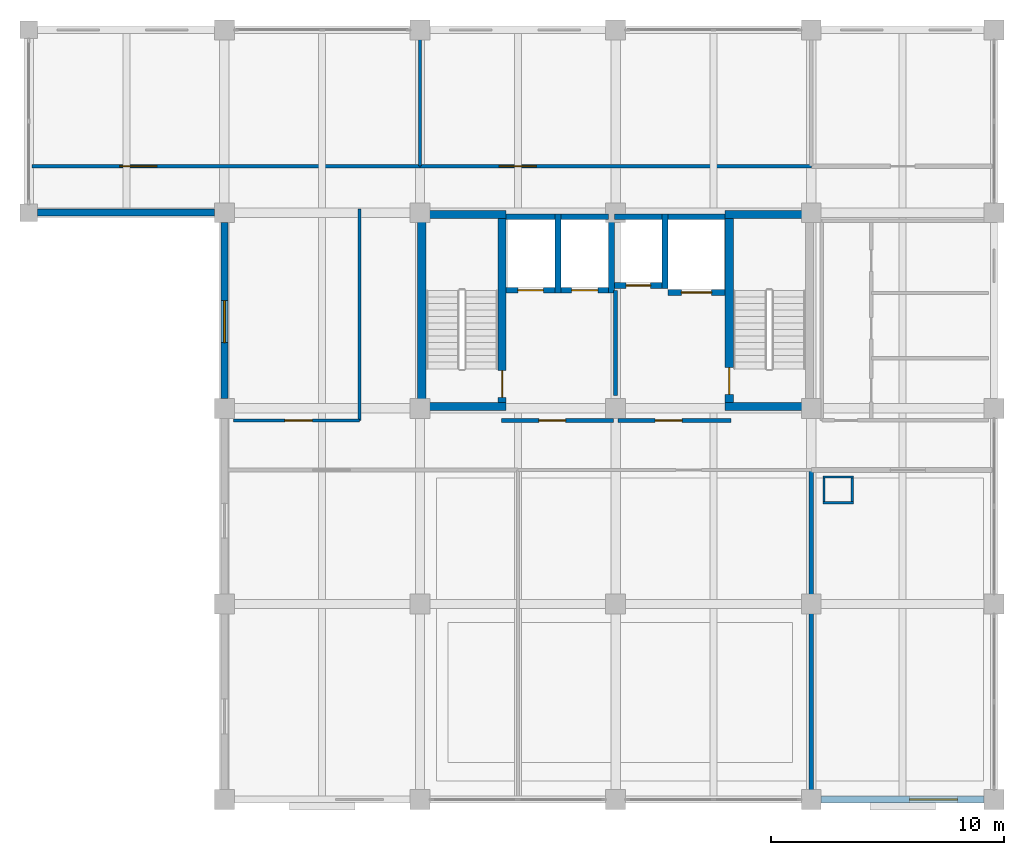
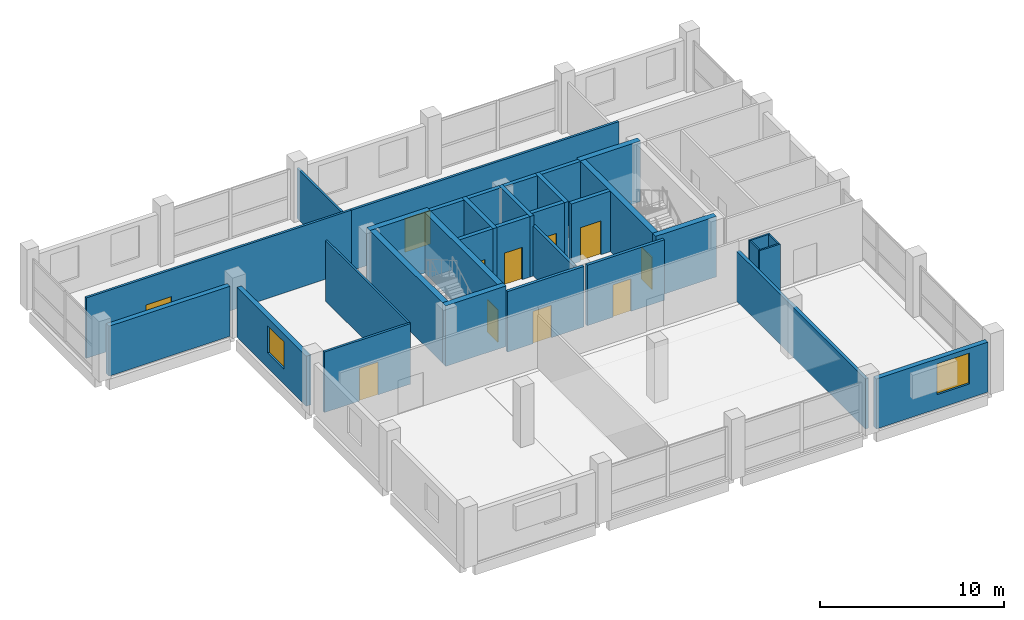
# One storey, part 7 of 9: 34 walls, 11 doors, 2 windows, 13 openings.
"""IFC4 building model written with IfcOpenShell, lengths in metres."""

from ifc_helpers import new_model, si_unit, direction, frame, frame_2d, origin, place, context, subcontext, project, spatial, rectangle, extrude, material, layer, layer_set, type_object, element, fill, save


model = new_model("IFC4")

# Units and contexts
model_context = context("Model", 3, precision=1e-05, world=origin(), true_north=direction((0.0, 1.0)))
body_context = subcontext(model_context, "Body", "Model", "MODEL_VIEW")
ifc_project = project(units=[si_unit("LENGTHUNIT", "METRE"), si_unit("AREAUNIT", "SQUARE_METRE"), si_unit("VOLUMEUNIT", "CUBIC_METRE"), si_unit("PLANEANGLEUNIT", "RADIAN"), si_unit("MASSUNIT", "GRAM", prefix="KILO")], contexts=[model_context])

# Site, building, storey
site_placement = place(None, origin())
site = spatial("IfcSite", under=ifc_project, at=site_placement, CompositionType="ELEMENT")
building_placement = place(site_placement, origin())
building = spatial("IfcBuilding", under=site, at=building_placement, Name="Brinegate Botanical Conservatory", CompositionType="ELEMENT")
storey_placement = place(building_placement, frame((0.0, 0.0, 31.800048828125)))
storey = spatial("IfcBuildingStorey", under=building, at=storey_placement, Name="L08", CompositionType="ELEMENT", Elevation=31.800048828125)

# Wall, opening, window
ifc_material_1 = material(Name="Insulated Minnan red clay brick masonry", Category="masonry")
ifc_layer_1 = layer(ifc_material_1, 0.300048828125, Name="Insulated Minnan red clay brick masonry", Category="masonry")
ifc_layer_set_1 = layer_set([ifc_layer_1], Name="Insulated Minnan red clay brick masonry")
wall_type_1 = type_object("IfcWallType", Name="Wall_EW-300B", PredefinedType="STANDARD", material=ifc_layer_set_1)
wall_1_placement = place(storey_placement, frame((163.02490234375, 78.39990234375, 0.0), z_axis=(0.0, 0.0, 1.0), x_axis=(-1.0, 0.0, 0.0)))
wall_1 = element("IfcWall", 1, at=wall_1_placement, inside=storey, type_object=wall_type_1, Name="Tower south facade wall L08.4", PredefinedType="STANDARD", context=body_context, shape_type="SweptSolid", body=[
    extrude(rectangle(XDim=7.0, YDim=0.300048828125, at=frame_2d((3.5, 0.0))), origin(), (0.0, 0.0, 1.0), 3.320068359375),
])
opening_1_placement = place(wall_1_placement, frame((1.14990234375, 0.0, 0.949951171875)))
opening_1 = element("IfcOpeningElement", 2, at=opening_1_placement, cuts=wall_1, Name="Opening WN-23", PredefinedType="OPENING", context=body_context, shape_type="SweptSolid", body=[
    extrude(rectangle(XDim=2.050048828125, YDim=2.050048828125, at=frame_2d((1.02490234375, 1.02490234375))), frame((0.0, 0.159912109375, 0.0), z_axis=(0.0, -1.0, 0.0), x_axis=(1.0, 0.0, 0.0)), (0.0, 0.0, 1.0), 0.320068359375),
])
ifc_material_2 = material(Name="Thermally broken aluminium-framed Low-E glass", Category="aluminium")
window_type_1 = type_object("IfcWindowType", Name="Win_WN-23", PartitioningType="DOUBLE_PANEL_VERTICAL", PredefinedType="WINDOW", material=ifc_material_2)
window_1_placement = place(opening_1_placement, origin())
window_1 = element("IfcWindow", 3, at=window_1_placement, inside=storey, type_object=window_type_1, Name="Tower south window L08.4", OverallHeight=2.050048828125, OverallWidth=2.050048828125, PartitioningType="DOUBLE_PANEL_VERTICAL", PredefinedType="WINDOW", context=body_context, shape_type="SweptSolid", body=[
    extrude(rectangle(XDim=2.050048828125, YDim=2.050048828125, at=frame_2d((1.02490234375, 1.02490234375))), frame((0.0, 0.030029296875, 0.0), z_axis=(0.0, -1.0, 0.0), x_axis=(1.0, 0.0, 0.0)), (0.0, 0.0, 1.0), 0.06005859375),
])
fill(opening_1, window_1)

wall_2_placement = place(storey_placement, frame((130.39990234375, 95.625, 0.0), z_axis=(0.0, 0.0, 1.0), x_axis=(0.0, 1.0, 0.0)))
wall_2 = element("IfcWall", 4, at=wall_2_placement, inside=storey, type_object=wall_type_1, Name="Tower mid-west wall L08", PredefinedType="STANDARD", context=body_context, shape_type="SweptSolid", body=[
    extrude(rectangle(XDim=7.550048828125, YDim=0.300048828125, at=frame_2d((3.77490234375, 0.0))), origin(), (0.0, 0.0, 1.0), 3.320068359375),
])
opening_2_placement = place(wall_2_placement, frame((2.39990234375, 0.0, 1.0)))
opening_2 = element("IfcOpeningElement", 5, at=opening_2_placement, cuts=wall_2, Name="Opening WN-05", PredefinedType="OPENING", context=body_context, shape_type="SweptSolid", body=[
    extrude(rectangle(XDim=1.800048828125, YDim=1.800048828125, at=frame_2d((0.89990234375, 0.89990234375))), frame((0.0, 0.159912109375, 0.0), z_axis=(0.0, -1.0, 0.0), x_axis=(1.0, 0.0, 0.0)), (0.0, 0.0, 1.0), 0.320068359375),
])
window_type_2 = type_object("IfcWindowType", Name="Win_WN-05", PartitioningType="DOUBLE_PANEL_VERTICAL", PredefinedType="WINDOW", material=ifc_material_2)
window_2_placement = place(opening_2_placement, origin())
window_2 = element("IfcWindow", 6, at=window_2_placement, inside=storey, type_object=window_type_2, Name="Tower mid-west window L08", OverallHeight=1.800048828125, OverallWidth=1.800048828125, PartitioningType="DOUBLE_PANEL_VERTICAL", PredefinedType="WINDOW", context=body_context, shape_type="SweptSolid", body=[
    extrude(rectangle(XDim=1.800048828125, YDim=1.800048828125, at=frame_2d((0.89990234375, 0.89990234375))), frame((0.0, 0.030029296875, 0.0), z_axis=(0.0, -1.0, 0.0), x_axis=(1.0, 0.0, 0.0)), (0.0, 0.0, 1.0), 0.06005859375),
])
fill(opening_2, window_2)

# Walls
wall_3_placement = place(storey_placement, frame((129.97509765625, 103.60009765625, 0.0), z_axis=(0.0, 0.0, 1.0), x_axis=(-1.0, 0.0, 0.0)))
element("IfcWall", 7, at=wall_3_placement, inside=storey, type_object=wall_type_1, Name="Tower west setback return wall L08", PredefinedType="STANDARD", context=body_context, shape_type="SweptSolid", body=[
    extrude(rectangle(XDim=7.60009765625, YDim=0.300048828125, at=frame_2d((3.800048828125, 0.0))), origin(), (0.0, 0.0, 1.0), 3.320068359375),
])
ifc_material_3 = material(Name="Gypsum-clad steel-stud fire-rated shaft partition", Category="steel")
ifc_layer_2 = layer(ifc_material_3, 0.10498046875, Name="Gypsum-clad steel-stud fire-rated shaft partition", Category="steel")
ifc_layer_set_2 = layer_set([ifc_layer_2], Name="Gypsum-clad steel-stud fire-rated shaft partition")
wall_type_2 = type_object("IfcWallType", Name="Wall_PW-105", PredefinedType="PARTITIONING", material=ifc_layer_set_2)
for number, where, z_axis, x_axis, name in (
    (8, (156.094970703125, 91.1474609375, 0.0), (0.0, 0.0, 1.0), (1.0, 0.0, 0.0), "Service riser shaft wall L08 S"),
    (9, (156.094970703125, 92.25244140625, 0.0), (0.0, 0.0, 1.0), (1.0, 0.0, 0.0), "Service riser shaft wall L08 N"),
):
    element("IfcWall", number, at=place(storey_placement, frame(where, z_axis=z_axis, x_axis=x_axis)), inside=storey, type_object=wall_type_2, Name=name, PredefinedType="PARTITIONING", context=body_context, shape_type="SweptSolid", body=[
        extrude(rectangle(XDim=1.31005859375, YDim=0.10498046875, at=frame_2d((0.655029296875, 0.0))), origin(), (0.0, 0.0, 1.0), 4.02001953125),
    ])
for number, where, z_axis, x_axis, name in (
    (10, (156.1474609375, 91.199951171875, 0.0), (0.0, 0.0, 1.0), (0.0, 1.0, 0.0), "Service riser shaft wall L08 W"),
    (11, (157.3525390625, 91.199951171875, 0.0), (0.0, 0.0, 1.0), (0.0, 1.0, 0.0), "Service riser shaft wall L08 E"),
):
    element("IfcWall", number, at=place(storey_placement, frame(where, z_axis=z_axis, x_axis=x_axis)), inside=storey, type_object=wall_type_2, Name=name, PredefinedType="PARTITIONING", context=body_context, shape_type="SweptSolid", body=[
        extrude(rectangle(XDim=1.0, YDim=0.10498046875, at=frame_2d((0.5, 0.0))), origin(), (0.0, 0.0, 1.0), 4.02001953125),
    ])
ifc_material_4 = material(Name="Gypsum-clad steel-stud partition", Category="steel")
ifc_layer_3 = layer(ifc_material_4, 0.1201171875, Name="Gypsum-clad steel-stud partition", Category="steel")
ifc_layer_set_3 = layer_set([ifc_layer_3], Name="Gypsum-clad steel-stud partition")
wall_type_3 = type_object("IfcWallType", Name="Wall_PW-120", PredefinedType="PARTITIONING", material=ifc_layer_set_3)
wall_4_placement = place(storey_placement, frame((136.199951171875, 94.679931640625, 0.0), z_axis=(0.0, 0.0, 1.0), x_axis=(0.0, 1.0, 0.0)))
element("IfcWall", 12, at=wall_4_placement, inside=storey, type_object=wall_type_3, Name="Interior partition P-L08-XCORR-W", PredefinedType="PARTITIONING", context=body_context, shape_type="SweptSolid", body=[
    extrude(rectangle(XDim=9.070068359375, YDim=0.1201171875, at=frame_2d((4.53515625, 0.0))), origin(), (0.0, 0.0, 1.0), 4.02001953125),
])
ifc_layer_4 = layer(ifc_material_4, 0.135009765625, Name="Gypsum-clad steel-stud partition", Category="steel")
ifc_layer_set_4 = layer_set([ifc_layer_4], Name="Gypsum-clad steel-stud partition")
wall_type_4 = type_object("IfcWallType", Name="Wall_PW-135", PredefinedType="PARTITIONING", material=ifc_layer_set_4)
wall_5_placement = place(storey_placement, frame((138.800048828125, 105.60009765625, 0.0), z_axis=(0.0, 0.0, 1.0), x_axis=(0.0, 1.0, 0.0)))
element("IfcWall", 13, at=wall_5_placement, inside=storey, type_object=wall_type_4, Name="Interior partition P-L08-NDIV-N2", PredefinedType="PARTITIONING", context=body_context, shape_type="SweptSolid", body=[
    extrude(rectangle(XDim=5.75, YDim=0.135009765625, at=frame_2d((2.875, 0.0))), origin(), (0.0, 0.0, 1.0), 3.320068359375),
])

# Wall, opening, door
ifc_material_5 = material(Name="Gypsum-clad acoustic steel-stud partition", Category="steel")
ifc_layer_5 = layer(ifc_material_5, 0.14501953125, Name="Gypsum-clad acoustic steel-stud partition", Category="steel")
ifc_layer_set_5 = layer_set([ifc_layer_5], Name="Gypsum-clad acoustic steel-stud partition")
wall_type_5 = type_object("IfcWallType", Name="Wall_PW-150", PredefinedType="PARTITIONING", material=ifc_layer_set_5)
wall_6_placement = place(storey_placement, frame((130.800048828125, 94.679931640625, 0.0), z_axis=(0.0, 0.0, 1.0), x_axis=(1.0, 0.0, 0.0)))
wall_6 = element("IfcWall", 14, at=wall_6_placement, inside=storey, type_object=wall_type_5, Name="Interior partition P-L08-MIDW-S", PredefinedType="PARTITIONING", context=body_context, shape_type="SweptSolid", body=[
    extrude(rectangle(XDim=5.39990234375, YDim=0.14501953125, at=frame_2d((2.699951171875, 0.0))), origin(), (0.0, 0.0, 1.0), 4.02001953125),
])
opening_3_placement = place(wall_6_placement, frame((2.199951171875, 0.0, 0.0)))
opening_3 = element("IfcOpeningElement", 15, at=opening_3_placement, cuts=wall_6, Name="Opening DR-06", PredefinedType="OPENING", context=body_context, shape_type="SweptSolid", body=[
    extrude(rectangle(XDim=1.179931640625, YDim=2.179931640625, at=frame_2d((0.58984375, 1.08984375))), frame((0.0, 0.08251953125, 0.0), z_axis=(0.0, -1.0, 0.0), x_axis=(1.0, 0.0, 0.0)), (0.0, 0.0, 1.0), 0.1650390625),
])
ifc_material_6 = material(Name="Phenolic-faced laboratory timber leaf", Category="wood")
door_type_1 = type_object("IfcDoorType", Name="Door_DR-06", OperationType="NOTDEFINED", PredefinedType="DOOR", material=ifc_material_6)
door_1_placement = place(opening_3_placement, origin())
door_1 = element("IfcDoor", 16, at=door_1_placement, inside=storey, type_object=door_type_1, Name="DR-P-L08-MIDW-S-1", OperationType="SINGLE_SWING_RIGHT", OverallHeight=2.179931640625, OverallWidth=1.179931640625, PredefinedType="DOOR", context=body_context, shape_type="SweptSolid", body=[
    extrude(rectangle(XDim=1.179931640625, YDim=2.179931640625, at=frame_2d((0.58984375, 1.08984375))), frame((0.0, 0.02490234375, 0.0), z_axis=(0.0, -1.0, 0.0), x_axis=(1.0, 0.0, 0.0)), (0.0, 0.0, 1.0), 0.050048828125),
])
fill(opening_3, door_1)

wall_7_placement = place(storey_placement, frame((122.14990234375, 105.60009765625, 0.0), z_axis=(0.0, 0.0, 1.0), x_axis=(1.0, 0.0, 0.0)))
wall_7 = element("IfcWall", 17, at=wall_7_placement, inside=storey, type_object=wall_type_5, Name="Interior partition P-L08-NB-N1", PredefinedType="PARTITIONING", context=body_context, shape_type="SweptSolid", body=[
    extrude(rectangle(XDim=16.650146484375, YDim=0.14501953125, at=frame_2d((8.3251953125, 0.0))), origin(), (0.0, 0.0, 1.0), 4.02001953125),
])
opening_4_placement = place(wall_7_placement, frame((3.75, 0.0, 0.0)))
opening_4 = element("IfcOpeningElement", 18, at=opening_4_placement, cuts=wall_7, Name="Opening DR-22", PredefinedType="OPENING", context=body_context, shape_type="SweptSolid", body=[
    extrude(rectangle(XDim=1.60009765625, YDim=2.239990234375, at=frame_2d((0.800048828125, 1.1201171875))), frame((0.0, 0.08251953125, 0.0), z_axis=(0.0, -1.0, 0.0), x_axis=(1.0, 0.0, 0.0)), (0.0, 0.0, 1.0), 0.1650390625),
])
ifc_material_7 = material(Name="Powder-coated steel lab door", Category="steel")
door_type_2 = type_object("IfcDoorType", Name="Door_DR-22", OperationType="NOTDEFINED", PredefinedType="DOOR", material=ifc_material_7)
door_2_placement = place(opening_4_placement, origin())
door_2 = element("IfcDoor", 19, at=door_2_placement, inside=storey, type_object=door_type_2, Name="DR-P-L08-NB-N1-1", OperationType="SINGLE_SWING_LEFT", OverallHeight=2.239990234375, OverallWidth=1.60009765625, PredefinedType="DOOR", context=body_context, shape_type="SweptSolid", body=[
    extrude(rectangle(XDim=1.60009765625, YDim=2.239990234375, at=frame_2d((0.800048828125, 1.1201171875))), frame((0.0, 0.02490234375, 0.0), z_axis=(0.0, -1.0, 0.0), x_axis=(1.0, 0.0, 0.0)), (0.0, 0.0, 1.0), 0.050048828125),
])
fill(opening_4, door_2)

wall_8_placement = place(storey_placement, frame((138.800048828125, 105.60009765625, 0.0), z_axis=(0.0, 0.0, 1.0), x_axis=(1.0, 0.0, 0.0)))
wall_8 = element("IfcWall", 20, at=wall_8_placement, inside=storey, type_object=wall_type_5, Name="Interior partition P-L08-NB-N2", PredefinedType="PARTITIONING", context=body_context, shape_type="SweptSolid", body=[
    extrude(rectangle(XDim=16.800048828125, YDim=0.14501953125, at=frame_2d((8.39990234375, 0.0))), origin(), (0.0, 0.0, 1.0), 4.02001953125),
])
opening_5_placement = place(wall_8_placement, frame((3.39990234375, 0.0, 0.0)))
opening_5 = element("IfcOpeningElement", 21, at=opening_5_placement, cuts=wall_8, Name="Opening DR-22", PredefinedType="OPENING", context=body_context, shape_type="SweptSolid", body=[
    extrude(rectangle(XDim=1.60009765625, YDim=2.239990234375, at=frame_2d((0.800048828125, 1.1201171875))), frame((0.0, 0.08251953125, 0.0), z_axis=(0.0, -1.0, 0.0), x_axis=(1.0, 0.0, 0.0)), (0.0, 0.0, 1.0), 0.1650390625),
])
door_3_placement = place(opening_5_placement, origin())
door_3 = element("IfcDoor", 22, at=door_3_placement, inside=storey, type_object=door_type_2, Name="DR-P-L08-NB-N2-1", OperationType="SINGLE_SWING_RIGHT", OverallHeight=2.239990234375, OverallWidth=1.60009765625, PredefinedType="DOOR", context=body_context, shape_type="SweptSolid", body=[
    extrude(rectangle(XDim=1.60009765625, YDim=2.239990234375, at=frame_2d((0.800048828125, 1.1201171875))), frame((0.0, 0.02490234375, 0.0), z_axis=(0.0, -1.0, 0.0), x_axis=(1.0, 0.0, 0.0)), (0.0, 0.0, 1.0), 0.050048828125),
])
fill(opening_5, door_3)

ifc_material_8 = material(Name="Autoclaved aerated concrete C40/50 blockwork", Category="masonry")
ifc_layer_6 = layer(ifc_material_8, 0.179931640625, Name="Autoclaved aerated concrete C40/50 blockwork", Category="masonry")
ifc_layer_set_6 = layer_set([ifc_layer_6], Name="Autoclaved aerated concrete C40/50 blockwork")
wall_type_6 = type_object("IfcWallType", Name="Wall_PW-180F", PredefinedType="STANDARD", material=ifc_layer_set_6)
wall_9_placement = place(storey_placement, frame((142.300048828125, 94.679931640625, 0.0), z_axis=(0.0, 0.0, 1.0), x_axis=(1.0, 0.0, 0.0)))
wall_9 = element("IfcWall", 23, at=wall_9_placement, inside=storey, type_object=wall_type_6, Name="Interior partition P-L08-CORE-FF", PredefinedType="STANDARD", context=body_context, shape_type="SweptSolid", body=[
    extrude(rectangle(XDim=4.800048828125, YDim=0.179931640625, at=frame_2d((2.39990234375, 0.0))), origin(), (0.0, 0.0, 1.0), 4.02001953125),
])
opening_6_placement = place(wall_9_placement, frame((1.60009765625, 0.0, 0.0)))
opening_6 = element("IfcOpeningElement", 24, at=opening_6_placement, cuts=wall_9, Name="Opening FD-B1", PredefinedType="OPENING", context=body_context, shape_type="SweptSolid", body=[
    extrude(rectangle(XDim=1.14990234375, YDim=2.14990234375, at=frame_2d((0.574951171875, 1.074951171875))), frame((0.0, 0.099853515625, 0.0), z_axis=(0.0, -1.0, 0.0), x_axis=(1.0, 0.0, 0.0)), (0.0, 0.0, 1.0), 0.199951171875),
])
ifc_material_9 = material(Name="Steel smoke-proof fire door assembly", Category="steel")
door_type_3 = type_object("IfcDoorType", Name="Door_FD-B1", OperationType="NOTDEFINED", PredefinedType="DOOR", material=ifc_material_9)
door_4_placement = place(opening_6_placement, origin())
door_4 = element("IfcDoor", 25, at=door_4_placement, inside=storey, type_object=door_type_3, Name="DR-P-L08-CORE-FF-1", OperationType="SINGLE_SWING_LEFT", OverallHeight=2.14990234375, OverallWidth=1.14990234375, PredefinedType="DOOR", context=body_context, shape_type="SweptSolid", body=[
    extrude(rectangle(XDim=1.14990234375, YDim=2.14990234375, at=frame_2d((0.574951171875, 1.074951171875))), frame((0.0, 0.02490234375, 0.0), z_axis=(0.0, -1.0, 0.0), x_axis=(1.0, 0.0, 0.0)), (0.0, 0.0, 1.0), 0.050048828125),
])
fill(opening_6, door_4)

wall_10_placement = place(storey_placement, frame((147.300048828125, 94.679931640625, 0.0), z_axis=(0.0, 0.0, 1.0), x_axis=(1.0, 0.0, 0.0)))
wall_10 = element("IfcWall", 26, at=wall_10_placement, inside=storey, type_object=wall_type_6, Name="Interior partition P-L08-CORE-PAX", PredefinedType="STANDARD", context=body_context, shape_type="SweptSolid", body=[
    extrude(rectangle(XDim=4.849853515625, YDim=0.179931640625, at=frame_2d((2.4248046875, 0.0))), origin(), (0.0, 0.0, 1.0), 4.02001953125),
])
opening_7_placement = place(wall_10_placement, frame((1.60009765625, 0.0, 0.0)))
opening_7 = element("IfcOpeningElement", 27, at=opening_7_placement, cuts=wall_10, Name="Opening FD-B1", PredefinedType="OPENING", context=body_context, shape_type="SweptSolid", body=[
    extrude(rectangle(XDim=1.14990234375, YDim=2.14990234375, at=frame_2d((0.574951171875, 1.074951171875))), frame((0.0, 0.099853515625, 0.0), z_axis=(0.0, -1.0, 0.0), x_axis=(1.0, 0.0, 0.0)), (0.0, 0.0, 1.0), 0.199951171875),
])
door_5_placement = place(opening_7_placement, origin())
door_5 = element("IfcDoor", 28, at=door_5_placement, inside=storey, type_object=door_type_3, Name="DR-P-L08-CORE-PAX-1", OperationType="SINGLE_SWING_RIGHT", OverallHeight=2.14990234375, OverallWidth=1.14990234375, PredefinedType="DOOR", context=body_context, shape_type="SweptSolid", body=[
    extrude(rectangle(XDim=1.14990234375, YDim=2.14990234375, at=frame_2d((0.574951171875, 1.074951171875))), frame((0.0, 0.02490234375, 0.0), z_axis=(0.0, -1.0, 0.0), x_axis=(1.0, 0.0, 0.0)), (0.0, 0.0, 1.0), 0.050048828125),
])
fill(opening_7, door_5)

# Walls
wall_11_placement = place(storey_placement, frame((147.199951171875, 95.75, 0.0), z_axis=(0.0, 0.0, 1.0), x_axis=(0.0, 1.0, 0.0)))
element("IfcWall", 29, at=wall_11_placement, inside=storey, type_object=wall_type_6, Name="Interior partition P-L08-CORE-DIV", PredefinedType="STANDARD", context=body_context, shape_type="SweptSolid", body=[
    extrude(rectangle(XDim=4.5, YDim=0.179931640625, at=frame_2d((2.25, 0.0))), origin(), (0.0, 0.0, 1.0), 3.320068359375),
])
ifc_layer_7 = layer(ifc_material_8, 0.199951171875, Name="Autoclaved aerated concrete C40/50 blockwork", Category="masonry")
ifc_layer_set_7 = layer_set([ifc_layer_7], Name="Autoclaved aerated concrete C40/50 blockwork")
wall_type_7 = type_object("IfcWallType", Name="Wall_PW-200F", PredefinedType="SOLIDWALL", material=ifc_layer_set_7)
wall_12_placement = place(storey_placement, frame((155.60009765625, 78.550048828125, 0.0), z_axis=(0.0, 0.0, 1.0), x_axis=(0.0, 1.0, 0.0)))
element("IfcWall", 30, at=wall_12_placement, inside=storey, type_object=wall_type_7, Name="Interior partition P-L08-SDIV-S3", PredefinedType="SOLIDWALL", context=body_context, shape_type="SweptSolid", body=[
    extrude(rectangle(XDim=14.0, YDim=0.199951171875, at=frame_2d((7.0, 0.0))), origin(), (0.0, 0.0, 1.0), 3.320068359375),
])

# Wall, opening, door
ifc_material_10 = material(Name="Concrete C40/50", Category="concrete")
ifc_layer_8 = layer(ifc_material_10, 0.25, Name="Concrete C40/50", Category="concrete")
ifc_layer_set_8 = layer_set([ifc_layer_8], Name="Concrete C40/50")
wall_type_8 = type_object("IfcWallType", Name="Wall_SW-250", PredefinedType="SHEAR", material=ifc_layer_set_8)
wall_13_placement = place(storey_placement, frame((142.5, 100.27490234375, 0.0), z_axis=(0.0, 0.0, 1.0), x_axis=(1.0, 0.0, 0.0)))
wall_13 = element("IfcWall", 31, at=wall_13_placement, inside=storey, type_object=wall_type_8, Name="Lift shaft LF1 shear wall L08 S", PredefinedType="SHEAR", context=body_context, shape_type="SweptSolid", body=[
    extrude(rectangle(XDim=2.10009765625, YDim=0.25, at=frame_2d((1.050048828125, 0.0))), origin(), (0.0, 0.0, 1.0), 4.02001953125),
])
opening_8_placement = place(wall_13_placement, frame((0.5, 0.0, 0.0)))
opening_8 = element("IfcOpeningElement", 32, at=opening_8_placement, cuts=wall_13, Name="Opening LD-01", PredefinedType="OPENING", context=body_context, shape_type="SweptSolid", body=[
    extrude(rectangle(XDim=1.10009765625, YDim=2.14990234375, at=frame_2d((0.550048828125, 1.074951171875))), frame((0.0, 0.135009765625, 0.0), z_axis=(0.0, -1.0, 0.0), x_axis=(1.0, 0.0, 0.0)), (0.0, 0.0, 1.0), 0.27001953125),
])
ifc_material_11 = material(Name="Brushed stainless steel S355 landing door", Category="steel")
door_type_4 = type_object("IfcDoorType", Name="Door_LD-01", OperationType="SLIDING_TO_LEFT", PredefinedType="DOOR", material=ifc_material_11)
door_6_placement = place(opening_8_placement, origin())
door_6 = element("IfcDoor", 33, at=door_6_placement, inside=storey, type_object=door_type_4, Name="LD-LF1-L08", OperationType="SLIDING_TO_LEFT", OverallHeight=2.14990234375, OverallWidth=1.10009765625, PredefinedType="DOOR", context=body_context, shape_type="SweptSolid", body=[
    extrude(rectangle(XDim=1.10009765625, YDim=2.14990234375, at=frame_2d((0.550048828125, 1.074951171875))), frame((0.0, 0.02490234375, 0.0), z_axis=(0.0, -1.0, 0.0), x_axis=(1.0, 0.0, 0.0)), (0.0, 0.0, 1.0), 0.050048828125),
])
fill(opening_8, door_6)

# Walls
wall_14_placement = place(storey_placement, frame((142.5, 103.425048828125, 0.0), z_axis=(0.0, 0.0, 1.0), x_axis=(1.0, 0.0, 0.0)))
element("IfcWall", 34, at=wall_14_placement, inside=storey, type_object=wall_type_8, Name="Lift shaft LF1 shear wall L08 N", PredefinedType="SHEAR", context=body_context, shape_type="SweptSolid", body=[
    extrude(rectangle(XDim=2.10009765625, YDim=0.25, at=frame_2d((1.050048828125, 0.0))), origin(), (0.0, 0.0, 1.0), 4.02001953125),
])
wall_15_placement = place(storey_placement, frame((144.72509765625, 100.14990234375, 0.0), z_axis=(0.0, 0.0, 1.0), x_axis=(0.0, 1.0, 0.0)))
element("IfcWall", 35, at=wall_15_placement, inside=storey, type_object=wall_type_8, Name="Lift shaft LF1 shear wall L08 E", PredefinedType="SHEAR", context=body_context, shape_type="SweptSolid", body=[
    extrude(rectangle(XDim=3.400146484375, YDim=0.25, at=frame_2d((1.7001953125, 0.0))), origin(), (0.0, 0.0, 1.0), 4.02001953125),
])

# Wall, opening, door
wall_16_placement = place(storey_placement, frame((144.85009765625, 100.27490234375, 0.0), z_axis=(0.0, 0.0, 1.0), x_axis=(1.0, 0.0, 0.0)))
wall_16 = element("IfcWall", 36, at=wall_16_placement, inside=storey, type_object=wall_type_8, Name="Lift shaft LF2 shear wall L08 S", PredefinedType="SHEAR", context=body_context, shape_type="SweptSolid", body=[
    extrude(rectangle(XDim=2.0498046875, YDim=0.25, at=frame_2d((1.02490234375, 0.0))), origin(), (0.0, 0.0, 1.0), 4.02001953125),
])
opening_9_placement = place(wall_16_placement, frame((0.465087890625, 0.0, 0.0)))
opening_9 = element("IfcOpeningElement", 37, at=opening_9_placement, cuts=wall_16, Name="Opening LD-02", PredefinedType="OPENING", context=body_context, shape_type="SweptSolid", body=[
    extrude(rectangle(XDim=1.1201171875, YDim=2.14990234375, at=frame_2d((0.56005859375, 1.074951171875))), frame((0.0, 0.135009765625, 0.0), z_axis=(0.0, -1.0, 0.0), x_axis=(1.0, 0.0, 0.0)), (0.0, 0.0, 1.0), 0.27001953125),
])
door_type_5 = type_object("IfcDoorType", Name="Door_LD-02", OperationType="SLIDING_TO_LEFT", PredefinedType="DOOR", material=ifc_material_11)
door_7_placement = place(opening_9_placement, origin())
door_7 = element("IfcDoor", 38, at=door_7_placement, inside=storey, type_object=door_type_5, Name="LD-LF2-L08", OperationType="SLIDING_TO_LEFT", OverallHeight=2.14990234375, OverallWidth=1.1201171875, PredefinedType="DOOR", context=body_context, shape_type="SweptSolid", body=[
    extrude(rectangle(XDim=1.1201171875, YDim=2.14990234375, at=frame_2d((0.56005859375, 1.074951171875))), frame((0.0, 0.02490234375, 0.0), z_axis=(0.0, -1.0, 0.0), x_axis=(1.0, 0.0, 0.0)), (0.0, 0.0, 1.0), 0.050048828125),
])
fill(opening_9, door_7)

# Walls
wall_17_placement = place(storey_placement, frame((144.85009765625, 103.425048828125, 0.0), z_axis=(0.0, 0.0, 1.0), x_axis=(1.0, 0.0, 0.0)))
element("IfcWall", 39, at=wall_17_placement, inside=storey, type_object=wall_type_8, Name="Lift shaft LF2 shear wall L08 N", PredefinedType="SHEAR", context=body_context, shape_type="SweptSolid", body=[
    extrude(rectangle(XDim=2.0498046875, YDim=0.25, at=frame_2d((1.02490234375, 0.0))), origin(), (0.0, 0.0, 1.0), 4.02001953125),
])
wall_18_placement = place(storey_placement, frame((147.02490234375, 100.14990234375, 0.0), z_axis=(0.0, 0.0, 1.0), x_axis=(0.0, 1.0, 0.0)))
element("IfcWall", 40, at=wall_18_placement, inside=storey, type_object=wall_type_8, Name="Lift shaft LF2 shear wall L08 E", PredefinedType="SHEAR", context=body_context, shape_type="SweptSolid", body=[
    extrude(rectangle(XDim=3.400146484375, YDim=0.25, at=frame_2d((1.7001953125, 0.0))), origin(), (0.0, 0.0, 1.0), 4.02001953125),
])

# Wall, opening, door
wall_19_placement = place(storey_placement, frame((147.14990234375, 100.47509765625, 0.0), z_axis=(0.0, 0.0, 1.0), x_axis=(1.0, 0.0, 0.0)))
wall_19 = element("IfcWall", 41, at=wall_19_placement, inside=storey, type_object=wall_type_8, Name="Lift shaft LF3 shear wall L08 S", PredefinedType="SHEAR", context=body_context, shape_type="SweptSolid", body=[
    extrude(rectangle(XDim=2.050048828125, YDim=0.25, at=frame_2d((1.02490234375, 0.0))), origin(), (0.0, 0.0, 1.0), 4.02001953125),
])
opening_10_placement = place(wall_19_placement, frame((0.4951171875, 0.0, 0.0)))
opening_10 = element("IfcOpeningElement", 42, at=opening_10_placement, cuts=wall_19, Name="Opening LD-03", PredefinedType="OPENING", context=body_context, shape_type="SweptSolid", body=[
    extrude(rectangle(XDim=1.06005859375, YDim=2.14990234375, at=frame_2d((0.530029296875, 1.074951171875))), frame((0.0, 0.135009765625, 0.0), z_axis=(0.0, -1.0, 0.0), x_axis=(1.0, 0.0, 0.0)), (0.0, 0.0, 1.0), 0.27001953125),
])
door_type_6 = type_object("IfcDoorType", Name="Door_LD-03", OperationType="SLIDING_TO_LEFT", PredefinedType="DOOR", material=ifc_material_11)
door_8_placement = place(opening_10_placement, origin())
door_8 = element("IfcDoor", 43, at=door_8_placement, inside=storey, type_object=door_type_6, Name="LD-LF3-L08", OperationType="SLIDING_TO_LEFT", OverallHeight=2.14990234375, OverallWidth=1.06005859375, PredefinedType="DOOR", context=body_context, shape_type="SweptSolid", body=[
    extrude(rectangle(XDim=1.06005859375, YDim=2.14990234375, at=frame_2d((0.530029296875, 1.074951171875))), frame((0.0, 0.02490234375, 0.0), z_axis=(0.0, -1.0, 0.0), x_axis=(1.0, 0.0, 0.0)), (0.0, 0.0, 1.0), 0.050048828125),
])
fill(opening_10, door_8)

# Walls
wall_20_placement = place(storey_placement, frame((147.14990234375, 103.425048828125, 0.0), z_axis=(0.0, 0.0, 1.0), x_axis=(1.0, 0.0, 0.0)))
element("IfcWall", 44, at=wall_20_placement, inside=storey, type_object=wall_type_8, Name="Lift shaft LF3 shear wall L08 N", PredefinedType="SHEAR", context=body_context, shape_type="SweptSolid", body=[
    extrude(rectangle(XDim=2.050048828125, YDim=0.25, at=frame_2d((1.02490234375, 0.0))), origin(), (0.0, 0.0, 1.0), 4.02001953125),
])
wall_21_placement = place(storey_placement, frame((149.324951171875, 100.35009765625, 0.0), z_axis=(0.0, 0.0, 1.0), x_axis=(0.0, 1.0, 0.0)))
element("IfcWall", 45, at=wall_21_placement, inside=storey, type_object=wall_type_8, Name="Lift shaft LF3 shear wall L08 E", PredefinedType="SHEAR", context=body_context, shape_type="SweptSolid", body=[
    extrude(rectangle(XDim=3.199951171875, YDim=0.25, at=frame_2d((1.60009765625, 0.0))), origin(), (0.0, 0.0, 1.0), 4.02001953125),
])

# Wall, opening, door
wall_22_placement = place(storey_placement, frame((149.449951171875, 100.175048828125, 0.0), z_axis=(0.0, 0.0, 1.0), x_axis=(1.0, 0.0, 0.0)))
wall_22 = element("IfcWall", 46, at=wall_22_placement, inside=storey, type_object=wall_type_8, Name="Lift shaft LF4 shear wall L08 S", PredefinedType="SHEAR", context=body_context, shape_type="SweptSolid", body=[
    extrude(rectangle(XDim=2.449951171875, YDim=0.25, at=frame_2d((1.22509765625, 0.0))), origin(), (0.0, 0.0, 1.0), 4.02001953125),
])
opening_11_placement = place(wall_22_placement, frame((0.574951171875, 0.0, 0.0)))
opening_11 = element("IfcOpeningElement", 47, at=opening_11_placement, cuts=wall_22, Name="Opening LD-04", PredefinedType="OPENING", context=body_context, shape_type="SweptSolid", body=[
    extrude(rectangle(XDim=1.300048828125, YDim=2.25, at=frame_2d((0.64990234375, 1.125))), frame((0.0, 0.135009765625, 0.0), z_axis=(0.0, -1.0, 0.0), x_axis=(1.0, 0.0, 0.0)), (0.0, 0.0, 1.0), 0.27001953125),
])
door_type_7 = type_object("IfcDoorType", Name="Door_LD-04", OperationType="SLIDING_TO_LEFT", PredefinedType="DOOR", material=ifc_material_11)
door_9_placement = place(opening_11_placement, origin())
door_9 = element("IfcDoor", 48, at=door_9_placement, inside=storey, type_object=door_type_7, Name="LD-LF4-L08", OperationType="SLIDING_TO_LEFT", OverallHeight=2.25, OverallWidth=1.300048828125, PredefinedType="DOOR", context=body_context, shape_type="SweptSolid", body=[
    extrude(rectangle(XDim=1.300048828125, YDim=2.25, at=frame_2d((0.64990234375, 1.125))), frame((0.0, 0.02490234375, 0.0), z_axis=(0.0, -1.0, 0.0), x_axis=(1.0, 0.0, 0.0)), (0.0, 0.0, 1.0), 0.050048828125),
])
fill(opening_11, door_9)

# Walls
wall_23_placement = place(storey_placement, frame((149.449951171875, 103.425048828125, 0.0), z_axis=(0.0, 0.0, 1.0), x_axis=(1.0, 0.0, 0.0)))
element("IfcWall", 49, at=wall_23_placement, inside=storey, type_object=wall_type_8, Name="Lift shaft LF4 shear wall L08 N", PredefinedType="SHEAR", context=body_context, shape_type="SweptSolid", body=[
    extrude(rectangle(XDim=2.449951171875, YDim=0.25, at=frame_2d((1.22509765625, 0.0))), origin(), (0.0, 0.0, 1.0), 4.02001953125),
])
ifc_layer_9 = layer(ifc_material_10, 0.35009765625, Name="Concrete C40/50", Category="concrete")
ifc_layer_set_9 = layer_set([ifc_layer_9], Name="Concrete C40/50")
wall_type_9 = type_object("IfcWallType", Name="Wall_SW-350", PredefinedType="SHEAR", material=ifc_layer_set_9)
for number, where, z_axis, x_axis, name in (
    (50, (138.699951171875, 95.27490234375, 0.0), (0.0, 0.0, 1.0), (1.0, 0.0, 0.0), "Stairwell ST1 shear wall L08 S"),
    (51, (138.699951171875, 103.52490234375, 0.0), (0.0, 0.0, 1.0), (1.0, 0.0, 0.0), "Stairwell ST1 shear wall L08 N"),
):
    element("IfcWall", number, at=place(storey_placement, frame(where, z_axis=z_axis, x_axis=x_axis)), inside=storey, type_object=wall_type_9, Name=name, PredefinedType="SHEAR", context=body_context, shape_type="SweptSolid", body=[
        extrude(rectangle(XDim=3.800048828125, YDim=0.35009765625, at=frame_2d((1.89990234375, 0.0))), origin(), (0.0, 0.0, 1.0), 4.02001953125),
    ])
wall_24_placement = place(storey_placement, frame((138.875, 95.449951171875, 0.0), z_axis=(0.0, 0.0, 1.0), x_axis=(0.0, 1.0, 0.0)))
element("IfcWall", 52, at=wall_24_placement, inside=storey, type_object=wall_type_9, Name="Stairwell ST1 shear wall L08 W", PredefinedType="SHEAR", context=body_context, shape_type="SweptSolid", body=[
    extrude(rectangle(XDim=7.900146484375, YDim=0.35009765625, at=frame_2d((3.9501953125, 0.0))), origin(), (0.0, 0.0, 1.0), 4.02001953125),
])

# Wall, opening, door
wall_25_placement = place(storey_placement, frame((142.324951171875, 95.449951171875, 0.0), z_axis=(0.0, 0.0, 1.0), x_axis=(0.0, 1.0, 0.0)))
wall_25 = element("IfcWall", 53, at=wall_25_placement, inside=storey, type_object=wall_type_9, Name="Stairwell ST1 shear wall L08 E", PredefinedType="SHEAR", context=body_context, shape_type="SweptSolid", body=[
    extrude(rectangle(XDim=7.900146484375, YDim=0.35009765625, at=frame_2d((3.9501953125, 0.0))), origin(), (0.0, 0.0, 1.0), 4.02001953125),
])
opening_12_placement = place(wall_25_placement, frame((0.219970703125, 0.0, 0.0)))
opening_12 = element("IfcOpeningElement", 54, at=opening_12_placement, cuts=wall_25, Name="Opening FD-B1", PredefinedType="OPENING", context=body_context, shape_type="SweptSolid", body=[
    extrude(rectangle(XDim=1.14990234375, YDim=2.14990234375, at=frame_2d((0.574951171875, 1.074951171875))), frame((0.0, 0.18505859375, 0.0), z_axis=(0.0, -1.0, 0.0), x_axis=(1.0, 0.0, 0.0)), (0.0, 0.0, 1.0), 0.3701171875),
])
door_10_placement = place(opening_12_placement, origin())
door_10 = element("IfcDoor", 55, at=door_10_placement, inside=storey, type_object=door_type_3, Name="DR-ST-ST1-L08", OperationType="SINGLE_SWING_RIGHT", OverallHeight=2.14990234375, OverallWidth=1.14990234375, PredefinedType="DOOR", context=body_context, shape_type="SweptSolid", body=[
    extrude(rectangle(XDim=1.14990234375, YDim=2.14990234375, at=frame_2d((0.574951171875, 1.074951171875))), frame((0.0, 0.02490234375, 0.0), z_axis=(0.0, -1.0, 0.0), x_axis=(1.0, 0.0, 0.0)), (0.0, 0.0, 1.0), 0.050048828125),
])
fill(opening_12, door_10)

# Walls
for number, where, z_axis, x_axis, name in (
    (56, (151.89990234375, 95.27490234375, 0.0), (0.0, 0.0, 1.0), (1.0, 0.0, 0.0), "Stairwell ST2 shear wall L08 S"),
    (57, (151.89990234375, 103.52490234375, 0.0), (0.0, 0.0, 1.0), (1.0, 0.0, 0.0), "Stairwell ST2 shear wall L08 N"),
):
    element("IfcWall", number, at=place(storey_placement, frame(where, z_axis=z_axis, x_axis=x_axis)), inside=storey, type_object=wall_type_9, Name=name, PredefinedType="SHEAR", context=body_context, shape_type="SweptSolid", body=[
        extrude(rectangle(XDim=3.800048828125, YDim=0.35009765625, at=frame_2d((1.89990234375, 0.0))), origin(), (0.0, 0.0, 1.0), 4.02001953125),
    ])

# Wall, opening, door
wall_26_placement = place(storey_placement, frame((152.074951171875, 95.449951171875, 0.0), z_axis=(0.0, 0.0, 1.0), x_axis=(0.0, 1.0, 0.0)))
wall_26 = element("IfcWall", 58, at=wall_26_placement, inside=storey, type_object=wall_type_9, Name="Stairwell ST2 shear wall L08 W", PredefinedType="SHEAR", context=body_context, shape_type="SweptSolid", body=[
    extrude(rectangle(XDim=7.900146484375, YDim=0.35009765625, at=frame_2d((3.9501953125, 0.0))), origin(), (0.0, 0.0, 1.0), 4.02001953125),
])
opening_13_placement = place(wall_26_placement, frame((0.35009765625, 0.0, 0.0)))
opening_13 = element("IfcOpeningElement", 59, at=opening_13_placement, cuts=wall_26, Name="Opening FD-B1", PredefinedType="OPENING", context=body_context, shape_type="SweptSolid", body=[
    extrude(rectangle(XDim=1.14990234375, YDim=2.14990234375, at=frame_2d((0.574951171875, 1.074951171875))), frame((0.0, 0.18505859375, 0.0), z_axis=(0.0, -1.0, 0.0), x_axis=(1.0, 0.0, 0.0)), (0.0, 0.0, 1.0), 0.3701171875),
])
door_11_placement = place(opening_13_placement, origin())
door_11 = element("IfcDoor", 60, at=door_11_placement, inside=storey, type_object=door_type_3, Name="DR-ST-ST2-L08", OperationType="SINGLE_SWING_RIGHT", OverallHeight=2.14990234375, OverallWidth=1.14990234375, PredefinedType="DOOR", context=body_context, shape_type="SweptSolid", body=[
    extrude(rectangle(XDim=1.14990234375, YDim=2.14990234375, at=frame_2d((0.574951171875, 1.074951171875))), frame((0.0, 0.02490234375, 0.0), z_axis=(0.0, -1.0, 0.0), x_axis=(1.0, 0.0, 0.0)), (0.0, 0.0, 1.0), 0.050048828125),
])
fill(opening_13, door_11)

save(model, "model.ifc")
